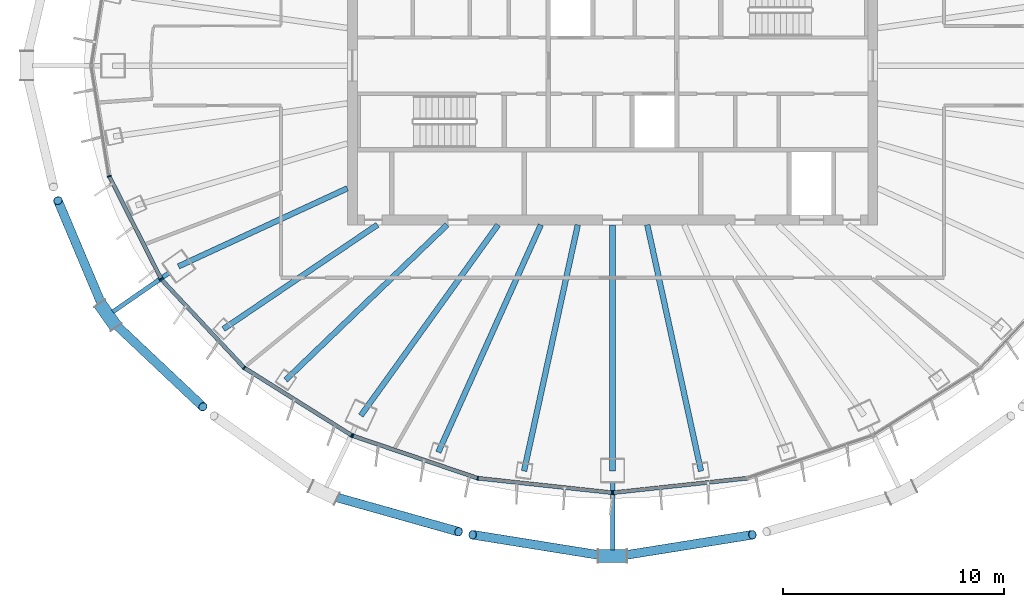
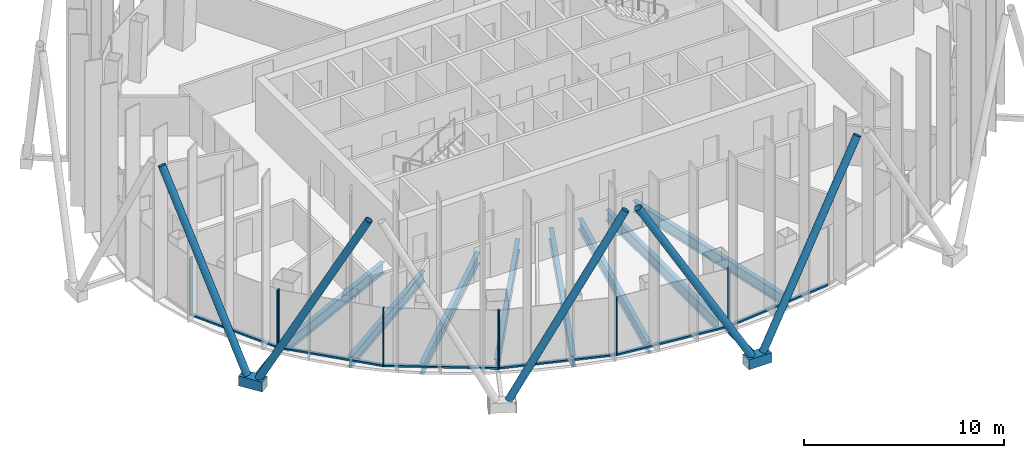
# One storey, part 2 of 19: 24 members, 8 beams, 4 elements without a shape of their own.
"""IFC4 building model written with IfcOpenShell, lengths in metres."""

from ifc_helpers import new_model, si_unit, direction, frame, origin, origin_2d, place, context, subcontext, project, spatial, rectangle, hollow_rectangle, hollow_circle, i_section, extrude, material, layer, layer_set, material_profile, profile_set, type_object, element, aggregate, save


model = new_model("IFC4")

# Units and contexts
model_context = context("Model", 3, precision=1e-05, world=origin(), true_north=direction((0.0, 1.0)))
body_context = subcontext(model_context, "Body", "Model", "MODEL_VIEW")
ifc_project = project(units=[si_unit("LENGTHUNIT", "METRE"), si_unit("AREAUNIT", "SQUARE_METRE"), si_unit("VOLUMEUNIT", "CUBIC_METRE"), si_unit("PLANEANGLEUNIT", "RADIAN"), si_unit("MASSUNIT", "GRAM", prefix="KILO")], contexts=[model_context])

# Site, building, storey
site_placement = place(None, origin())
site = spatial("IfcSite", under=ifc_project, at=site_placement, CompositionType="ELEMENT")
building_placement = place(site_placement, origin())
building = spatial("IfcBuilding", under=site, at=building_placement, Name="Siaravel Broadcast Tower", CompositionType="ELEMENT")
storey_placement = place(building_placement, frame((0.0, 0.0, 168.199951171875)))
storey = spatial("IfcBuildingStorey", under=building, at=storey_placement, Name="L40", CompositionType="ELEMENT", Elevation=168.199951171875)

# Beams
ifc_material_1 = material(Name="Steel S355", Category="steel")
ifc_material_profile_1 = material_profile(ifc_material_1, i_section(OverallWidth=0.2529296875, OverallDepth=0.677978515625, WebThickness=0.01171875, FlangeThickness=0.01611328125, FilletRadius=0.01513671875, at=origin_2d()))
ifc_profile_set_1 = profile_set([ifc_material_profile_1], Name="Steel S355")
beam_type = type_object("IfcBeamType", Name="BM-UB 686x254x125", PredefinedType="BEAM", material=ifc_profile_set_1)
beam_1_placement = place(storey_placement, frame((-19.643798828125, -9.081298828125, -0.489013671875), z_axis=(0.907697859, 0.419624351, 0.0), x_axis=(-0.419624351, 0.907697859, 0.0)))
element("IfcBeam", 1, at=beam_1_placement, inside=storey, type_object=beam_type, Name="Radial beam RB22", PredefinedType="BEAM", context=body_context, shape_type="SweptSolid", body=[
    extrude(i_section(OverallWidth=0.2529296875, OverallDepth=0.677978515625, WebThickness=0.01171875, FlangeThickness=0.01611328125, FilletRadius=0.01513671875, at=origin_2d()), origin(), (0.0, 0.0, 1.0), 8.421142578125),
])
beam_2_placement = place(storey_placement, frame((-17.6123046875, -11.9169921875, -0.489013671875), z_axis=(0.828215309, 0.56041003, 0.0), x_axis=(-0.56041003, 0.828215309, 0.0)))
element("IfcBeam", 2, at=beam_2_placement, inside=storey, type_object=beam_type, Name="Radial beam RB23", PredefinedType="BEAM", context=body_context, shape_type="SweptSolid", body=[
    extrude(i_section(OverallWidth=0.2529296875, OverallDepth=0.677978515625, WebThickness=0.01171875, FlangeThickness=0.01611328125, FilletRadius=0.01513671875, at=origin_2d()), origin(), (0.0, 0.0, 1.0), 8.417236328125),
])
beam_3_placement = place(storey_placement, frame((-14.794189453125, -14.224853515625, -0.489013671875), z_axis=(0.720833528, 0.693108235, 0.0), x_axis=(-0.693108235, 0.720833528, 0.0)))
element("IfcBeam", 3, at=beam_3_placement, inside=storey, type_object=beam_type, Name="Radial beam RB24", PredefinedType="BEAM", context=body_context, shape_type="SweptSolid", body=[
    extrude(i_section(OverallWidth=0.2529296875, OverallDepth=0.677978515625, WebThickness=0.01171875, FlangeThickness=0.01611328125, FilletRadius=0.01513671875, at=origin_2d()), origin(), (0.0, 0.0, 1.0), 10.13525390625),
])
beam_4_placement = place(storey_placement, frame((-11.39013671875, -15.83251953125, -0.489013671875), z_axis=(0.583995034, 0.81175723, 0.0), x_axis=(-0.81175723, 0.583995034, 0.0)))
element("IfcBeam", 4, at=beam_4_placement, inside=storey, type_object=beam_type, Name="Radial beam RB25", PredefinedType="BEAM", context=body_context, shape_type="SweptSolid", body=[
    extrude(i_section(OverallWidth=0.2529296875, OverallDepth=0.677978515625, WebThickness=0.01171875, FlangeThickness=0.01611328125, FilletRadius=0.01513671875, at=origin_2d()), origin(), (0.0, 0.0, 1.0), 10.634521484375),
])
beam_5_placement = place(storey_placement, frame((-7.884521484375, -17.491455078125, -0.489013671875), z_axis=(0.410952697, 0.911656668, 0.0), x_axis=(-0.911656668, 0.410952697, 0.0)))
element("IfcBeam", 5, at=beam_5_placement, inside=storey, type_object=beam_type, Name="Radial beam RB26", PredefinedType="BEAM", context=body_context, shape_type="SweptSolid", body=[
    extrude(i_section(OverallWidth=0.2529296875, OverallDepth=0.677978515625, WebThickness=0.01171875, FlangeThickness=0.01611328125, FilletRadius=0.01513671875, at=origin_2d()), origin(), (0.0, 0.0, 1.0), 11.288818359375),
])
beam_6_placement = place(storey_placement, frame((-4.004638671875, -18.343017578125, -0.489013671875), z_axis=(0.21328447, 0.976990141, 0.0), x_axis=(-0.976990141, 0.21328447, 0.0)))
element("IfcBeam", 6, at=beam_6_placement, inside=storey, type_object=beam_type, Name="Radial beam RB27", PredefinedType="BEAM", context=body_context, shape_type="SweptSolid", body=[
    extrude(i_section(OverallWidth=0.2529296875, OverallDepth=0.677978515625, WebThickness=0.01171875, FlangeThickness=0.01611328125, FilletRadius=0.01513671875, at=origin_2d()), origin(), (0.0, 0.0, 1.0), 11.405517578125),
])
beam_7_placement = place(storey_placement, frame((0.0, -18.330078125, -0.489013671875), z_axis=(0.0, 1.0, 0.0), x_axis=(-1.0, 0.0, 0.0)))
element("IfcBeam", 7, at=beam_7_placement, inside=storey, type_object=beam_type, Name="Radial beam RB28", PredefinedType="BEAM", context=body_context, shape_type="SweptSolid", body=[
    extrude(i_section(OverallWidth=0.2529296875, OverallDepth=0.677978515625, WebThickness=0.01171875, FlangeThickness=0.01611328125, FilletRadius=0.01513671875, at=origin_2d()), origin(), (0.0, 0.0, 1.0), 11.130126953125),
])
beam_8_placement = place(storey_placement, frame((4.004638671875, -18.343017578125, -0.489013671875), z_axis=(-0.21328447, 0.976990141, 0.0), x_axis=(-0.976990141, -0.21328447, 0.0)))
element("IfcBeam", 8, at=beam_8_placement, inside=storey, type_object=beam_type, Name="Radial beam RB29", PredefinedType="BEAM", context=body_context, shape_type="SweptSolid", body=[
    extrude(i_section(OverallWidth=0.2529296875, OverallDepth=0.677978515625, WebThickness=0.01171875, FlangeThickness=0.01611328125, FilletRadius=0.01513671875, at=origin_2d()), origin(), (0.0, 0.0, 1.0), 11.405517578125),
])

# Curtain wall, members
ifc_material_2 = material(Name="Aluminium 6063-T6", Category="aluminium")
ifc_layer = layer(ifc_material_2, 0.179931640625)
ifc_layer_set = layer_set([ifc_layer], Name="Aluminium 6063-T6")
curtain_wall_type = type_object("IfcCurtainWallType", Name="Unitised curtain wall, zone 3", PredefinedType="NOTDEFINED", material=ifc_layer_set)
curtain_wall_1_placement = place(storey_placement, origin())
curtain_wall_1 = element("IfcCurtainWall", 9, at=curtain_wall_1_placement, inside=storey, type_object=curtain_wall_type, Name="L40 Unitised curtain wall, zone 3 07", PredefinedType="NOTDEFINED")
ifc_material_profile_2 = material_profile(ifc_material_2, rectangle(XDim=0.179931640625, YDim=0.06005859375, at=origin_2d()))
ifc_profile_set_2 = profile_set([ifc_material_profile_2], Name="Aluminium 6063-T6")
member_type_1 = type_object("IfcMemberType", Name="CW-Z3 mullion", PredefinedType="MULLION", material=ifc_profile_set_2)
member_1_placement = place(storey_placement, frame((-22.7744140625, -5.003662109375, 0.0), z_axis=(0.0, 0.0, 1.0), x_axis=(0.951177137, 0.308645515, 0.0)))
member_1 = element("IfcMember", 10, at=member_1_placement, type_object=member_type_1, Name="CW-Z3 mullion 2", PredefinedType="MULLION", context=body_context, shape_type="SweptSolid", body=[
    extrude(rectangle(XDim=0.179931640625, YDim=0.06005859375, at=origin_2d()), origin(), (0.0, 0.0, 1.0), 3.550048828125),
])
member_2_placement = place(storey_placement, frame((-20.430908203125, -9.63818359375, 0.0), z_axis=(0.0, 0.0, 1.0), x_axis=(0.892391915, 0.4512612, 0.0)))
member_2 = element("IfcMember", 11, at=member_2_placement, type_object=member_type_1, Name="CW-Z3 mullion 3", PredefinedType="MULLION", context=body_context, shape_type="SweptSolid", body=[
    extrude(rectangle(XDim=0.179931640625, YDim=0.06005859375, at=origin_2d()), origin(), (0.0, 0.0, 1.0), 3.550048828125),
])

curtain_wall_2_placement = place(storey_placement, origin())
curtain_wall_2 = element("IfcCurtainWall", 12, at=curtain_wall_2_placement, inside=storey, type_object=curtain_wall_type, Name="L40 Unitised curtain wall, zone 3 08", PredefinedType="NOTDEFINED")
member_3_placement = place(storey_placement, frame((-20.396728515625, -9.68701171875, 0.0), z_axis=(0.0, 0.0, 1.0), x_axis=(0.729804878, 0.683655498, 0.0)))
member_3 = element("IfcMember", 13, at=member_3_placement, type_object=member_type_1, Name="CW-Z3 mullion 1", PredefinedType="MULLION", context=body_context, shape_type="SweptSolid", body=[
    extrude(rectangle(XDim=0.179931640625, YDim=0.06005859375, at=origin_2d()), origin(), (0.0, 0.0, 1.0), 3.550048828125),
])
member_4_placement = place(storey_placement, frame((-16.6689453125, -13.66650390625, 0.0), z_axis=(0.0, 0.0, 1.0), x_axis=(0.63621823, 0.771509147, 0.0)))
member_4 = element("IfcMember", 14, at=member_4_placement, type_object=member_type_1, Name="CW-Z3 mullion 2", PredefinedType="MULLION", context=body_context, shape_type="SweptSolid", body=[
    extrude(rectangle(XDim=0.179931640625, YDim=0.06005859375, at=origin_2d()), origin(), (0.0, 0.0, 1.0), 3.550048828125),
])
member_5_placement = place(storey_placement, frame((-11.81103515625, -16.7197265625, 0.0), z_axis=(0.0, 0.0, 1.0), x_axis=(0.532148789, 0.846650852, 0.0)))
member_5 = element("IfcMember", 15, at=member_5_placement, type_object=member_type_1, Name="CW-Z3 mullion 3", PredefinedType="MULLION", context=body_context, shape_type="SweptSolid", body=[
    extrude(rectangle(XDim=0.179931640625, YDim=0.06005859375, at=origin_2d()), origin(), (0.0, 0.0, 1.0), 3.550048828125),
])

curtain_wall_3_placement = place(storey_placement, origin())
curtain_wall_3 = element("IfcCurtainWall", 16, at=curtain_wall_3_placement, inside=storey, type_object=curtain_wall_type, Name="L40 Unitised curtain wall, zone 3 09", PredefinedType="NOTDEFINED")
member_6_placement = place(storey_placement, frame((-11.75732421875, -16.745361328125, 0.0), z_axis=(0.0, 0.0, 1.0), x_axis=(0.321300283, 0.946977364, 0.0)))
member_6 = element("IfcMember", 17, at=member_6_placement, type_object=member_type_1, Name="CW-Z3 mullion 1", PredefinedType="MULLION", context=body_context, shape_type="SweptSolid", body=[
    extrude(rectangle(XDim=0.179931640625, YDim=0.06005859375, at=origin_2d()), origin(), (0.0, 0.0, 1.0), 3.550048828125),
])
member_7_placement = place(storey_placement, frame((-6.100341796875, -18.664794921875, 0.0), z_axis=(0.0, 0.0, 1.0), x_axis=(0.215557831, 0.976491076, 0.0)))
member_7 = element("IfcMember", 18, at=member_7_placement, type_object=member_type_1, Name="CW-Z3 mullion 2", PredefinedType="MULLION", context=body_context, shape_type="SweptSolid", body=[
    extrude(rectangle(XDim=0.179931640625, YDim=0.06005859375, at=origin_2d()), origin(), (0.0, 0.0, 1.0), 3.550048828125),
])
member_8_placement = place(storey_placement, frame((-0.02978515625, -19.3193359375, 0.0), z_axis=(0.0, 0.0, 1.0), x_axis=(0.107217362, 0.994235605, 0.0)))
member_8 = element("IfcMember", 19, at=member_8_placement, type_object=member_type_1, Name="CW-Z3 mullion 3", PredefinedType="MULLION", context=body_context, shape_type="SweptSolid", body=[
    extrude(rectangle(XDim=0.179931640625, YDim=0.06005859375, at=origin_2d()), origin(), (0.0, 0.0, 1.0), 3.550048828125),
])

# Curtain wall, member
curtain_wall_4_placement = place(storey_placement, origin())
curtain_wall_4 = element("IfcCurtainWall", 20, at=curtain_wall_4_placement, inside=storey, type_object=curtain_wall_type, Name="L40 Unitised curtain wall, zone 3 10", PredefinedType="NOTDEFINED")
member_9_placement = place(storey_placement, frame((0.02978515625, -19.3193359375, 0.0), z_axis=(0.0, 0.0, 1.0), x_axis=(-0.107217362, 0.994235605, 0.0)))
member_9 = element("IfcMember", 21, at=member_9_placement, type_object=member_type_1, Name="CW-Z3 mullion 1", PredefinedType="MULLION", context=body_context, shape_type="SweptSolid", body=[
    extrude(rectangle(XDim=0.179931640625, YDim=0.06005859375, at=origin_2d()), origin(), (0.0, 0.0, 1.0), 3.550048828125),
])

# Member
ifc_material_profile_3 = material_profile(ifc_material_2, rectangle(XDim=0.179931640625, YDim=0.10009765625, at=origin_2d()))
ifc_profile_set_3 = profile_set([ifc_material_profile_3], Name="Aluminium 6063-T6")
member_type_2 = type_object("IfcMemberType", Name="CW-Z3 transom", PredefinedType="USERDEFINED", material=ifc_profile_set_3)
member_10_placement = place(storey_placement, frame((-22.760986328125, -5.030517578125, 0.050048828125), z_axis=(0.451279947, -0.892382435, 0.0), x_axis=(0.892382435, 0.451279947, 0.0)))
member_10 = element("IfcMember", 22, at=member_10_placement, type_object=member_type_2, Name="CW-Z3 transom 2", ObjectType="TRANSOM", PredefinedType="USERDEFINED", context=body_context, shape_type="SweptSolid", body=[
    extrude(rectangle(XDim=0.179931640625, YDim=0.10009765625, at=origin_2d()), origin(), (0.0, 0.0, 1.0), 5.133544921875),
])

aggregate(curtain_wall_1, [member_1, member_2, member_10])

member_11_placement = place(storey_placement, frame((-20.376220703125, -9.708984375, 0.050048828125), z_axis=(0.683663984, -0.729796929, 0.0), x_axis=(0.729796929, 0.683663984, 0.0)))
member_11 = element("IfcMember", 23, at=member_11_placement, type_object=member_type_2, Name="CW-Z3 transom 1", ObjectType="TRANSOM", PredefinedType="USERDEFINED", context=body_context, shape_type="SweptSolid", body=[
    extrude(rectangle(XDim=0.179931640625, YDim=0.10009765625, at=origin_2d()), origin(), (0.0, 0.0, 1.0), 5.392578125),
])

member_12_placement = place(storey_placement, frame((-16.6435546875, -13.682373046875, 0.050048828125), z_axis=(0.84664762, -0.532153933, 0.0), x_axis=(0.532153933, 0.84664762, 0.0)))
member_12 = element("IfcMember", 24, at=member_12_placement, type_object=member_type_2, Name="CW-Z3 transom 2", ObjectType="TRANSOM", PredefinedType="USERDEFINED", context=body_context, shape_type="SweptSolid", body=[
    extrude(rectangle(XDim=0.179931640625, YDim=0.10009765625, at=origin_2d()), origin(), (0.0, 0.0, 1.0), 5.677734375),
])

aggregate(curtain_wall_2, [member_3, member_4, member_5, member_11, member_12])

member_13_placement = place(storey_placement, frame((-11.72900390625, -16.7548828125, 0.050048828125), z_axis=(0.946972868, -0.321313534, 0.0), x_axis=(0.321313534, 0.946972868, 0.0)))
member_13 = element("IfcMember", 25, at=member_13_placement, type_object=member_type_2, Name="CW-Z3 transom 1", ObjectType="TRANSOM", PredefinedType="USERDEFINED", context=body_context, shape_type="SweptSolid", body=[
    extrude(rectangle(XDim=0.179931640625, YDim=0.10009765625, at=origin_2d()), origin(), (0.0, 0.0, 1.0), 5.91357421875),
])

member_14_placement = place(storey_placement, frame((-6.070556640625, -18.66796875, 0.050048828125), z_axis=(0.994235587, -0.107217526, 0.0), x_axis=(0.107217526, 0.994235587, 0.0)))
member_14 = element("IfcMember", 26, at=member_14_placement, type_object=member_type_2, Name="CW-Z3 transom 2", ObjectType="TRANSOM", PredefinedType="USERDEFINED", context=body_context, shape_type="SweptSolid", body=[
    extrude(rectangle(XDim=0.179931640625, YDim=0.10009765625, at=origin_2d()), origin(), (0.0, 0.0, 1.0), 6.045654296875),
])

aggregate(curtain_wall_3, [member_6, member_7, member_8, member_13, member_14])

member_15_placement = place(storey_placement, frame((0.059814453125, -19.316162109375, 0.050048828125), z_axis=(0.994235587, 0.107217526, 0.0), x_axis=(-0.107217526, 0.994235587, 0.0)))
member_15 = element("IfcMember", 27, at=member_15_placement, type_object=member_type_2, Name="CW-Z3 transom 1", ObjectType="TRANSOM", PredefinedType="USERDEFINED", context=body_context, shape_type="SweptSolid", body=[
    extrude(rectangle(XDim=0.179931640625, YDim=0.10009765625, at=origin_2d()), origin(), (0.0, 0.0, 1.0), 6.045654296875),
])

aggregate(curtain_wall_4, [member_9, member_15])

# Members
ifc_material_3 = material(Name="Steel S460", Category="steel")
ifc_material_profile_4 = material_profile(ifc_material_3, hollow_circle(Radius=0.203125, WallThickness=0.01611328125, at=origin_2d()))
ifc_profile_set_4 = profile_set([ifc_material_profile_4], Name="Steel S460")
member_type_3 = type_object("IfcMemberType", Name="Diagrid diagonal CHS 406.4x16", PredefinedType="BRACE", material=ifc_profile_set_4)
member_16_placement = place(storey_placement, frame((-23.0205078125, -11.027099609375, 0.070068359375), z_axis=(-0.175489566, 0.415980615, 0.892279967), x_axis=(-0.921365951, -0.388696263, 0.0)))
element("IfcMember", 28, at=member_16_placement, inside=storey, type_object=member_type_3, Name="Diagrid diagonal R17 station 42C", PredefinedType="BRACE", context=body_context, shape_type="SweptSolid", body=[
    extrude(hollow_circle(Radius=0.203125, WallThickness=0.01611328125, at=origin_2d()), origin(), (0.0, 0.0, 1.0), 11.8349609375),
])
member_17_placement = place(storey_placement, frame((-22.647705078125, -11.555908203125, 0.070068359375), z_axis=(0.343347075, -0.323779655, 0.881634573), x_axis=(0.68607166, 0.72753397, 0.0)))
element("IfcMember", 29, at=member_17_placement, inside=storey, type_object=member_type_3, Name="Diagrid diagonal R17 station 42A", PredefinedType="BRACE", context=body_context, shape_type="SweptSolid", body=[
    extrude(hollow_circle(Radius=0.203125, WallThickness=0.01611328125, at=origin_2d()), origin(), (0.0, 0.0, 1.0), 11.977783203125),
])
member_18_placement = place(storey_placement, frame((-12.775390625, -19.451904296875, 0.070068359375), z_axis=(0.477816118, -0.134351287, 0.868125273), x_axis=(0.270681171, 0.962669052, 0.0)))
element("IfcMember", 30, at=member_18_placement, inside=storey, type_object=member_type_3, Name="Diagrid diagonal R17 station 48A", PredefinedType="BRACE", context=body_context, shape_type="SweptSolid", body=[
    extrude(hollow_circle(Radius=0.203125, WallThickness=0.01611328125, at=origin_2d()), origin(), (0.0, 0.0, 1.0), 12.164306640625),
])
for number, where, z_axis, x_axis, name in (
    (31, (-0.323486328125, -22.187255859375, 0.070068359375), (-0.492934034, 0.078967203, 0.866475747), (-0.158181431, -0.987410064, 0.0), "Diagrid diagonal R17 station 54C"),
    (32, (0.323486328125, -22.187255859375, 0.070068359375), (0.492934034, 0.078967203, 0.866475747), (-0.158181431, 0.987410064, 0.0), "Diagrid diagonal R17 station 54A"),
):
    element("IfcMember", number, at=place(storey_placement, frame(where, z_axis=z_axis, x_axis=x_axis)), inside=storey, type_object=member_type_3, Name=name, PredefinedType="BRACE", context=body_context, shape_type="SweptSolid", body=[
        extrude(hollow_circle(Radius=0.203125, WallThickness=0.01611328125, at=origin_2d()), origin(), (0.0, 0.0, 1.0), 12.187255859375),
    ])
ifc_material_profile_5 = material_profile(ifc_material_3, hollow_rectangle(XDim=0.60009765625, YDim=0.60009765625, WallThickness=0.031982421875, at=origin_2d()))
ifc_profile_set_5 = profile_set([ifc_material_profile_5], Name="Steel S460")
member_type_4 = type_object("IfcMemberType", Name="Diagrid node BOX 600x600x32", PredefinedType="USERDEFINED", material=ifc_profile_set_5)
for number, where, z_axis, x_axis, name in (
    (33, (-23.206787109375, -10.762939453125, -0.199951171875), (0.576030928, -0.817427899, 0.0), (0.817427899, 0.576030928, 0.0), "Diagrid node R17 station 42"),
    (34, (-0.646728515625, -22.187255859375, -0.199951171875), (1.0, 0.0, 0.0), (0.0, 1.0, 0.0), "Diagrid node R17 station 54"),
):
    element("IfcMember", number, at=place(storey_placement, frame(where, z_axis=z_axis, x_axis=x_axis)), inside=storey, type_object=member_type_4, Name=name, ObjectType="DIAGRID NODE", PredefinedType="USERDEFINED", context=body_context, shape_type="SweptSolid", body=[
        extrude(hollow_rectangle(XDim=0.60009765625, YDim=0.60009765625, WallThickness=0.031982421875, at=origin_2d()), origin(), (0.0, 0.0, 1.0), 1.29345703125),
    ])
ifc_material_profile_6 = material_profile(ifc_material_3, hollow_rectangle(XDim=0.199951171875, YDim=0.300048828125, WallThickness=0.012451171875, at=origin_2d()))
ifc_profile_set_6 = profile_set([ifc_material_profile_6], Name="Steel S460")
member_type_5 = type_object("IfcMemberType", Name="Diagrid node arm RHS 300x200x12.5", PredefinedType="STRUT", material=ifc_profile_set_6)
member_19_placement = place(storey_placement, frame((-20.071044921875, -9.377197265625, -0.199951171875), z_axis=(-0.822015888, -0.569464556, 0.0), x_axis=(0.569464556, -0.822015888, 0.0)))
element("IfcMember", 35, at=member_19_placement, inside=storey, type_object=member_type_5, Name="Node arm R17 station 42", PredefinedType="STRUT", context=body_context, shape_type="SweptSolid", body=[
    extrude(hollow_rectangle(XDim=0.199951171875, YDim=0.300048828125, WallThickness=0.012451171875, at=origin_2d()), origin(), (0.0, 0.0, 1.0), 3.091552734375),
])
member_20_placement = place(storey_placement, frame((0.0, -18.85009765625, -0.199951171875), z_axis=(0.0, -1.0, 0.0), x_axis=(1.0, 0.0, 0.0)))
element("IfcMember", 36, at=member_20_placement, inside=storey, type_object=member_type_5, Name="Node arm R17 station 54", PredefinedType="STRUT", context=body_context, shape_type="SweptSolid", body=[
    extrude(hollow_rectangle(XDim=0.199951171875, YDim=0.300048828125, WallThickness=0.012451171875, at=origin_2d()), origin(), (0.0, 0.0, 1.0), 3.067138671875),
])

save(model, "model.ifc")
